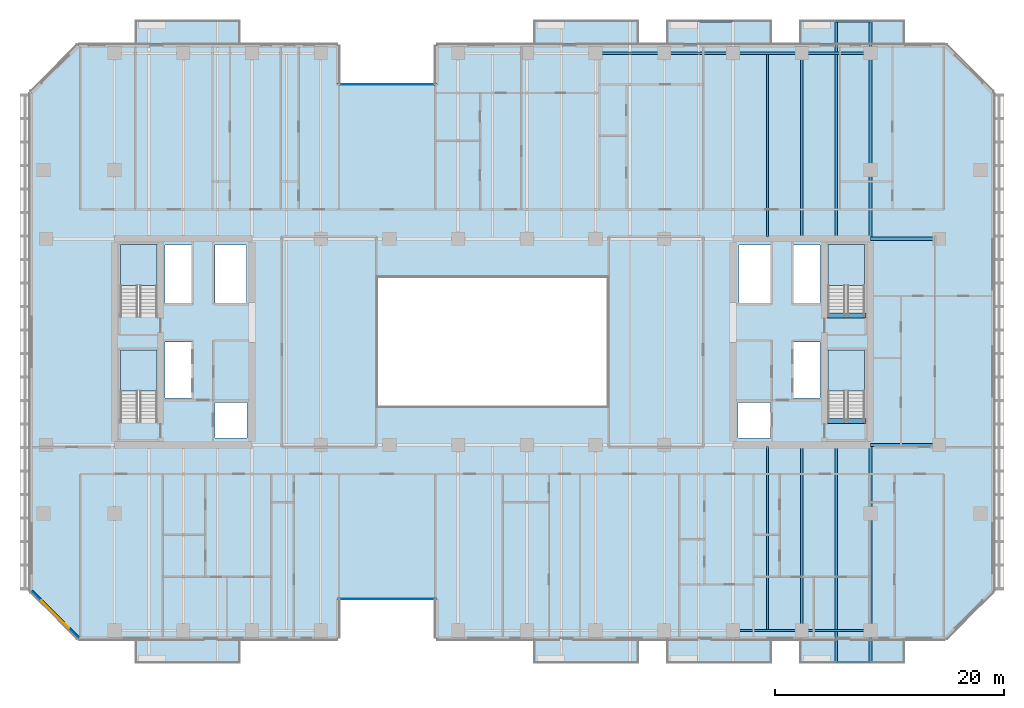
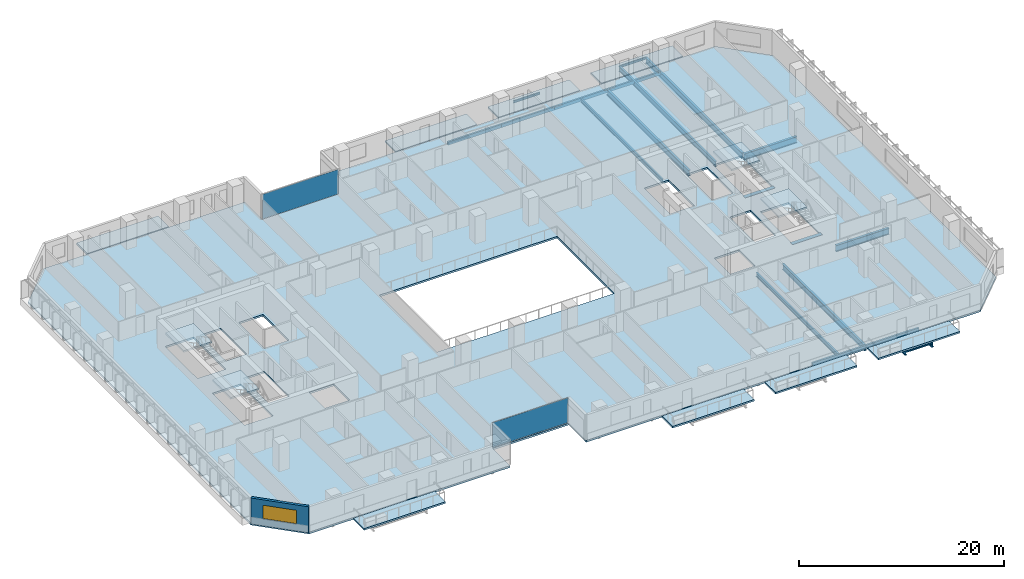
# One storey, part 9 of 26: 21 beams, 13 slabs, 2 plates, 1 wall, 1 window, 1 opening, 6 elements without a shape of their own.
"""IFC4 building model written with IfcOpenShell, lengths in metres."""

from ifc_helpers import new_model, si_unit, direction, frame, frame_2d, origin, origin_2d, place, context, subcontext, project, spatial, polyline, rectangle, hollow_rectangle, i_section, outline, extrude, material, layer, layer_set, material_profile, profile_set, type_object, element, fill, aggregate, save


model = new_model("IFC4")

# Units and contexts
model_context = context("Model", 3, precision=1e-05, world=origin(), true_north=direction((0.0, 1.0)))
body_context = subcontext(model_context, "Body", "Model", "MODEL_VIEW")
ifc_project = project(units=[si_unit("LENGTHUNIT", "METRE"), si_unit("AREAUNIT", "SQUARE_METRE"), si_unit("VOLUMEUNIT", "CUBIC_METRE"), si_unit("PLANEANGLEUNIT", "RADIAN"), si_unit("MASSUNIT", "GRAM", prefix="KILO")], contexts=[model_context])

# Site, building, storey
site_placement = place(None, origin())
site = spatial("IfcSite", under=ifc_project, at=site_placement, CompositionType="ELEMENT")
building_placement = place(site_placement, origin())
building = spatial("IfcBuilding", under=site, at=building_placement, Name="Tanjung Sevakor Pilgrim Tower", CompositionType="ELEMENT")
storey_placement = place(building_placement, frame((0.0, 0.0, 48.840087890625)))
storey = spatial("IfcBuildingStorey", under=building, at=storey_placement, Name="L13", CompositionType="ELEMENT", Elevation=48.840087890625)

# Beams
ifc_material_1 = material(Name="Steel S355J2", Category="steel")
ifc_material_profile_1 = material_profile(ifc_material_1, i_section(OverallWidth=0.26806640625, OverallDepth=0.769775390625, WebThickness=0.015625, FlangeThickness=0.025390625, FilletRadius=0.0166015625, at=origin_2d()))
ifc_profile_set_1 = profile_set([ifc_material_profile_1], Name="Steel S355J2")
beam_type_1 = type_object("IfcBeamType", Name="BM-B-G1-UB_762x267x197", PredefinedType="BEAM", material=ifc_profile_set_1)
for number, where, z_axis, x_axis, name in (
    (1, (90.0, 24.60009765625, -0.60498046875), (1.0, 0.0, 0.0), (0.0, 1.0, 0.0), "L13 Primary Floor Girder MAIN Y246-09"),
    (2, (90.0, 42.60009765625, -0.60498046875), (1.0, 0.0, 0.0), (0.0, 1.0, 0.0), "L13 Primary Floor Girder MAIN Y426-09"),
):
    element("IfcBeam", number, at=place(storey_placement, frame(where, z_axis=z_axis, x_axis=x_axis)), inside=storey, type_object=beam_type_1, Name=name, PredefinedType="BEAM", context=body_context, shape_type="SweptSolid", body=[
        extrude(i_section(OverallWidth=0.26806640625, OverallDepth=0.769775390625, WebThickness=0.015625, FlangeThickness=0.025390625, FilletRadius=0.0166015625, at=origin_2d()), origin(), (0.0, 0.0, 1.0), 6.0),
    ])
ifc_material_2 = material(Name="Steel S355J2", Category="steel")
ifc_material_profile_2 = material_profile(ifc_material_2, i_section(OverallWidth=0.25439453125, OverallDepth=0.6875, WebThickness=0.01318359375, FlangeThickness=0.02099609375, FilletRadius=0.01513671875, at=origin_2d()))
ifc_profile_set_2 = profile_set([ifc_material_profile_2], Name="Steel S355J2")
beam_type_2 = type_object("IfcBeamType", Name="BM-B-G2-UB_686x254x152", PredefinedType="BEAM", material=ifc_profile_set_2)
for number, where, z_axis, x_axis, name in (
    (3, (84.0, 8.39990234375, -0.56396484375), (0.0, 1.0, 0.0), (-1.0, 0.0, 0.0), "L13 MAIN Girder 028"),
    (4, (84.0, 42.73388671875, -0.56396484375), (0.0, 1.0, 0.0), (-1.0, 0.0, 0.0), "L13 MAIN Girder 029"),
):
    element("IfcBeam", number, at=place(storey_placement, frame(where, z_axis=z_axis, x_axis=x_axis)), inside=storey, type_object=beam_type_2, Name=name, PredefinedType="BEAM", context=body_context, shape_type="SweptSolid", body=[
        extrude(i_section(OverallWidth=0.25439453125, OverallDepth=0.6875, WebThickness=0.01318359375, FlangeThickness=0.02099609375, FilletRadius=0.01513671875, at=origin_2d()), origin(), (0.0, 0.0, 1.0), 16.066162109375),
    ])
beam_1_placement = place(storey_placement, frame((90.0, 24.466064453125, -0.56396484375), z_axis=(0.0, -1.0, 0.0), x_axis=(1.0, 0.0, 0.0)))
element("IfcBeam", 5, at=beam_1_placement, inside=storey, type_object=beam_type_2, Name="L13 Balcony Cantilever Beam MAIN-S4-2", PredefinedType="BEAM", context=body_context, shape_type="SweptSolid", body=[
    extrude(i_section(OverallWidth=0.25439453125, OverallDepth=0.6875, WebThickness=0.01318359375, FlangeThickness=0.02099609375, FilletRadius=0.01513671875, at=origin_2d()), origin(), (0.0, 0.0, 1.0), 18.845947265625),
])
beam_2_placement = place(storey_placement, frame((90.0, 42.73388671875, -0.56396484375), z_axis=(0.0, 1.0, 0.0), x_axis=(-1.0, 0.0, 0.0)))
element("IfcBeam", 6, at=beam_2_placement, inside=storey, type_object=beam_type_2, Name="L13 Balcony Cantilever Beam MAIN-N4-2", PredefinedType="BEAM", context=body_context, shape_type="SweptSolid", body=[
    extrude(i_section(OverallWidth=0.25439453125, OverallDepth=0.6875, WebThickness=0.01318359375, FlangeThickness=0.02099609375, FilletRadius=0.01513671875, at=origin_2d()), origin(), (0.0, 0.0, 1.0), 18.84619140625),
])
ifc_material_3 = material(Name="Steel S355J2", Category="steel")
ifc_material_profile_3 = material_profile(ifc_material_3, i_section(OverallWidth=0.22900390625, OverallDepth=0.6123046875, WebThickness=0.011962890625, FlangeThickness=0.01953125, FilletRadius=0.0126953125, at=origin_2d()))
ifc_profile_set_3 = profile_set([ifc_material_profile_3], Name="Steel S355J2")
beam_type_3 = type_object("IfcBeamType", Name="BM-B-G4-UB_610x229x125", PredefinedType="BEAM", material=ifc_profile_set_3)
beam_3_placement = place(storey_placement, frame((87.0, 24.466064453125, -0.526123046875), z_axis=(0.0, -1.0, 0.0), x_axis=(1.0, 0.0, 0.0)))
element("IfcBeam", 7, at=beam_3_placement, inside=storey, type_object=beam_type_3, Name="L13 Balcony Cantilever Beam MAIN-S4-1", PredefinedType="BEAM", context=body_context, shape_type="SweptSolid", body=[
    extrude(i_section(OverallWidth=0.22900390625, OverallDepth=0.6123046875, WebThickness=0.011962890625, FlangeThickness=0.01953125, FilletRadius=0.0126953125, at=origin_2d()), origin(), (0.0, 0.0, 1.0), 18.845947265625),
])
beam_4_placement = place(storey_placement, frame((87.0, 42.73388671875, -0.526123046875), z_axis=(0.0, 1.0, 0.0), x_axis=(-1.0, 0.0, 0.0)))
element("IfcBeam", 8, at=beam_4_placement, inside=storey, type_object=beam_type_3, Name="L13 Balcony Cantilever Beam MAIN-N4-1", PredefinedType="BEAM", context=body_context, shape_type="SweptSolid", body=[
    extrude(i_section(OverallWidth=0.22900390625, OverallDepth=0.6123046875, WebThickness=0.011962890625, FlangeThickness=0.01953125, FilletRadius=0.0126953125, at=origin_2d()), origin(), (0.0, 0.0, 1.0), 18.84619140625),
])
ifc_material_4 = material(Name="Steel S355J2", Category="steel")
ifc_material_profile_4 = material_profile(ifc_material_4, i_section(OverallWidth=0.19140625, OverallDepth=0.4599609375, WebThickness=0.010009765625, FlangeThickness=0.01611328125, FilletRadius=0.01025390625, at=origin_2d()))
ifc_profile_set_4 = profile_set([ifc_material_profile_4], Name="Steel S355J2")
beam_type_4 = type_object("IfcBeamType", Name="BM-B-J2-UB_457x191x82", PredefinedType="JOIST", material=ifc_profile_set_4)
for number, where, z_axis, x_axis, name in (
    (9, (81.0, 8.5, -0.4501953125), (0.0, 1.0, 0.0), (-1.0, 0.0, 0.0), "L13 MAIN Joist 026"),
    (10, (81.0, 42.73388671875, -0.4501953125), (0.0, 1.0, 0.0), (-1.0, 0.0, 0.0), "L13 MAIN Joist 027"),
):
    element("IfcBeam", number, at=place(storey_placement, frame(where, z_axis=z_axis, x_axis=x_axis)), inside=storey, type_object=beam_type_4, Name=name, PredefinedType="JOIST", context=body_context, shape_type="SweptSolid", body=[
        extrude(i_section(OverallWidth=0.19140625, OverallDepth=0.4599609375, WebThickness=0.010009765625, FlangeThickness=0.01611328125, FilletRadius=0.01025390625, at=origin_2d()), origin(), (0.0, 0.0, 1.0), 15.966064453125),
    ])
ifc_material_5 = material(Name="Steel S355J2", Category="steel")
ifc_material_profile_5 = material_profile(ifc_material_5, i_section(OverallWidth=0.146484375, OverallDepth=0.256103515625, WebThickness=0.00634765625, FlangeThickness=0.010986328125, FilletRadius=0.007568359375, at=origin_2d()))
ifc_profile_set_5 = profile_set([ifc_material_profile_5], Name="Steel S355J2")
beam_type_5 = type_object("IfcBeamType", Name="BM-B-J6-UB_254x146x37", PredefinedType="JOIST", material=ifc_profile_set_5)
for number, where, z_axis, x_axis, name in (
    (11, (75.0, 61.580078125, -0.328125), (1.0, 0.0, 0.0), (0.0, 1.0, 0.0), "L13 Balcony Rim Tie MAIN-N3"),
    (12, (87.0, 5.6201171875, -0.328125), (1.0, 0.0, 0.0), (0.0, 1.0, 0.0), "L13 Balcony Rim Tie MAIN-S4"),
    (13, (87.0, 61.580078125, -0.328125), (1.0, 0.0, 0.0), (0.0, 1.0, 0.0), "L13 Balcony Rim Tie MAIN-N4"),
):
    element("IfcBeam", number, at=place(storey_placement, frame(where, z_axis=z_axis, x_axis=x_axis)), inside=storey, type_object=beam_type_5, Name=name, PredefinedType="JOIST", context=body_context, shape_type="SweptSolid", body=[
        extrude(i_section(OverallWidth=0.146484375, OverallDepth=0.256103515625, WebThickness=0.00634765625, FlangeThickness=0.010986328125, FilletRadius=0.007568359375, at=origin_2d()), origin(), (0.0, 0.0, 1.0), 3.0),
    ])
ifc_material_6 = material(Name="Concrete C60/75", Category="concrete")
ifc_material_profile_6 = material_profile(ifc_material_6, rectangle(XDim=0.449951171875, YDim=0.699951171875, at=origin_2d()))
ifc_profile_set_6 = profile_set([ifc_material_profile_6], Name="Concrete C60/75")
beam_type_6 = type_object("IfcBeamType", Name="BM-B-LN3-RC-BM_450x700", PredefinedType="LINTEL", material=ifc_profile_set_6)
for number, where, z_axis, x_axis, name in (
    (14, (86.199951171875, 26.699951171875, -0.35009765625), (1.0, 0.0, 0.0), (0.0, 1.0, 0.0), "L13 TS-E1 Stair Threshold Beam"),
    (15, (86.199951171875, 35.89990234375, -0.35009765625), (1.0, 0.0, 0.0), (0.0, 1.0, 0.0), "L13 TS-E2 Stair Threshold Beam"),
):
    element("IfcBeam", number, at=place(storey_placement, frame(where, z_axis=z_axis, x_axis=x_axis)), inside=storey, type_object=beam_type_6, Name=name, PredefinedType="LINTEL", context=body_context, shape_type="SweptSolid", body=[
        extrude(rectangle(XDim=0.449951171875, YDim=0.699951171875, at=origin_2d()), origin(), (0.0, 0.0, 1.0), 3.400146484375),
    ])
ifc_material_7 = material(Name="Steel S355J2", Category="steel")
ifc_material_profile_7 = material_profile(ifc_material_7, hollow_rectangle(XDim=0.199951171875, YDim=0.39990234375, WallThickness=0.01611328125, at=origin_2d()))
ifc_profile_set_7 = profile_set([ifc_material_profile_7], Name="Steel S355J2")
beam_type_7 = type_object("IfcBeamType", Name="BM-B-SP2-RHS_400x200x16", PredefinedType="SPANDREL", material=ifc_profile_set_7)
for number, where, z_axis, x_axis, name in (
    (16, (66.0, 58.800048828125, -0.420166015625), (1.0, 0.0, 0.0), (0.0, 1.0, 0.0), "L13 Spandrel MAIN N-12"),
    (17, (72.0, 58.800048828125, -0.420166015625), (1.0, 0.0, 0.0), (0.0, 1.0, 0.0), "L13 Spandrel MAIN N-14"),
    (18, (78.0, 8.39990234375, -0.420166015625), (1.0, 0.0, 0.0), (0.0, 1.0, 0.0), "L13 Spandrel MAIN S-15"),
    (19, (78.0, 58.800048828125, -0.420166015625), (1.0, 0.0, 0.0), (0.0, 1.0, 0.0), "L13 Spandrel MAIN N-16"),
    (20, (84.0, 8.39990234375, -0.420166015625), (1.0, 0.0, 0.0), (0.0, 1.0, 0.0), "L13 Spandrel MAIN S-17"),
    (21, (84.0, 58.800048828125, -0.420166015625), (1.0, 0.0, 0.0), (0.0, 1.0, 0.0), "L13 Spandrel MAIN N-18"),
):
    element("IfcBeam", number, at=place(storey_placement, frame(where, z_axis=z_axis, x_axis=x_axis)), inside=storey, type_object=beam_type_7, Name=name, PredefinedType="SPANDREL", context=body_context, shape_type="SweptSolid", body=[
        extrude(hollow_rectangle(XDim=0.199951171875, YDim=0.39990234375, WallThickness=0.01611328125, at=origin_2d()), origin(), (0.0, 0.0, 1.0), 6.0),
    ])

# Slabs
ifc_material_8 = material(Name="Concrete C40/50", Category="concrete")
ifc_layer_1 = layer(ifc_material_8, 0.199951171875)
ifc_layer_set_1 = layer_set([ifc_layer_1], Name="SL-BAL-200")
slab_type_1 = type_object("IfcSlabType", Name="SL-BAL-200", PredefinedType="FLOOR", material=ifc_layer_set_1)
slab_1_placement = place(storey_placement, frame((0.0, 0.0, -0.2001953125)))
element("IfcSlab", 22, at=slab_1_placement, inside=storey, type_object=slab_type_1, Name="L13 Planted Loggia Balcony MAIN-S1", PredefinedType="FLOOR", context=body_context, shape_type="SweptSolid", body=[
    extrude(outline(polyline([(25.800048828125, 5.5), (35.0, 5.5), (35.0, 7.60009765625), (25.800048828125, 7.60009765625), (25.800048828125, 5.5)])), origin(), (0.0, 0.0, 1.0), 0.2001953125),
])
slab_2_placement = place(storey_placement, frame((0.0, 0.0, -0.2001953125)))
element("IfcSlab", 23, at=slab_2_placement, inside=storey, type_object=slab_type_1, Name="L13 Planted Loggia Balcony MAIN-N1", PredefinedType="FLOOR", context=body_context, shape_type="SweptSolid", body=[
    extrude(outline(polyline([(25.800048828125, 59.60009765625), (35.0, 59.60009765625), (35.0, 61.699951171875), (25.800048828125, 61.699951171875), (25.800048828125, 59.60009765625)])), origin(), (0.0, 0.0, 1.0), 0.2001953125),
])
slab_3_placement = place(storey_placement, frame((0.0, 0.0, -0.2001953125)))
element("IfcSlab", 24, at=slab_3_placement, inside=storey, type_object=slab_type_1, Name="L13 Planted Loggia Balcony MAIN-S2", PredefinedType="FLOOR", context=body_context, shape_type="SweptSolid", body=[
    extrude(outline(polyline([(60.60009765625, 5.5), (69.800048828125, 5.5), (69.800048828125, 7.60009765625), (60.60009765625, 7.60009765625), (60.60009765625, 5.5)])), origin(), (0.0, 0.0, 1.0), 0.2001953125),
])
slab_4_placement = place(storey_placement, frame((0.0, 0.0, -0.2001953125)))
element("IfcSlab", 25, at=slab_4_placement, inside=storey, type_object=slab_type_1, Name="L13 Planted Loggia Balcony MAIN-N2", PredefinedType="FLOOR", context=body_context, shape_type="SweptSolid", body=[
    extrude(outline(polyline([(60.60009765625, 59.60009765625), (69.800048828125, 59.60009765625), (69.800048828125, 61.699951171875), (60.60009765625, 61.699951171875), (60.60009765625, 59.60009765625)])), origin(), (0.0, 0.0, 1.0), 0.2001953125),
])
slab_5_placement = place(storey_placement, frame((0.0, 0.0, -0.2001953125)))
element("IfcSlab", 26, at=slab_5_placement, inside=storey, type_object=slab_type_1, Name="L13 Planted Loggia Balcony MAIN-S3", PredefinedType="FLOOR", context=body_context, shape_type="SweptSolid", body=[
    extrude(outline(polyline([(72.199951171875, 5.5), (81.39990234375, 5.5), (81.39990234375, 7.60009765625), (72.199951171875, 7.60009765625), (72.199951171875, 5.5)])), origin(), (0.0, 0.0, 1.0), 0.2001953125),
])
slab_6_placement = place(storey_placement, frame((0.0, 0.0, -0.2001953125)))
element("IfcSlab", 27, at=slab_6_placement, inside=storey, type_object=slab_type_1, Name="L13 Planted Loggia Balcony MAIN-N3", PredefinedType="FLOOR", context=body_context, shape_type="SweptSolid", body=[
    extrude(outline(polyline([(72.199951171875, 59.60009765625), (81.39990234375, 59.60009765625), (81.39990234375, 61.699951171875), (72.199951171875, 61.699951171875), (72.199951171875, 59.60009765625)])), origin(), (0.0, 0.0, 1.0), 0.2001953125),
])
slab_7_placement = place(storey_placement, frame((0.0, 0.0, -0.2001953125)))
element("IfcSlab", 28, at=slab_7_placement, inside=storey, type_object=slab_type_1, Name="L13 Planted Loggia Balcony MAIN-S4", PredefinedType="FLOOR", context=body_context, shape_type="SweptSolid", body=[
    extrude(outline(polyline([(83.800048828125, 5.5), (93.0, 5.5), (93.0, 7.60009765625), (83.800048828125, 7.60009765625), (83.800048828125, 5.5)])), origin(), (0.0, 0.0, 1.0), 0.2001953125),
])
slab_8_placement = place(storey_placement, frame((0.0, 0.0, -0.2001953125)))
element("IfcSlab", 29, at=slab_8_placement, inside=storey, type_object=slab_type_1, Name="L13 Planted Loggia Balcony MAIN-N4", PredefinedType="FLOOR", context=body_context, shape_type="SweptSolid", body=[
    extrude(outline(polyline([(83.800048828125, 59.60009765625), (93.0, 59.60009765625), (93.0, 61.699951171875), (83.800048828125, 61.699951171875), (83.800048828125, 59.60009765625)])), origin(), (0.0, 0.0, 1.0), 0.2001953125),
])

# Stair, slab
ifc_material_9 = material(Name="Concrete C40/50", Category="concrete")
stair_type = type_object("IfcStairType", Name="STAIR-ST-CR150", PredefinedType="HALF_TURN_STAIR", material=ifc_material_9)
stair_1_placement = place(storey_placement, origin())
stair_1 = element("IfcStair", 30, at=stair_1_placement, inside=storey, type_object=stair_type, Name="L13 West Core Exit Stair 1", PredefinedType="HALF_TURN_STAIR")
ifc_material_10 = material(Name="Concrete C40/50", Category="concrete")
ifc_layer_2 = layer(ifc_material_10, 0.199951171875)
ifc_layer_set_2 = layer_set([ifc_layer_2], Name="SL-LAND-200")
slab_type_2 = type_object("IfcSlabType", Name="SL-LAND-200", PredefinedType="LANDING", material=ifc_layer_set_2)
slab_9_placement = place(storey_placement, frame((0.0, 0.0, 1.449951171875)))
slab_9 = element("IfcSlab", 31, at=slab_9_placement, type_object=slab_type_2, Name="TS-W1 landing 1", PredefinedType="LANDING", context=body_context, shape_type="SweptSolid", body=[
    extrude(outline(polyline([(27.699951171875, 29.300048828125), (27.699951171875, 32.89990234375), (24.5, 32.89990234375), (24.5, 29.300048828125), (27.699951171875, 29.300048828125)])), origin(), (0.0, 0.0, 1.0), 0.199951171875),
])
aggregate(stair_1, [slab_9])

stair_2_placement = place(storey_placement, origin())
stair_2 = element("IfcStair", 32, at=stair_2_placement, inside=storey, type_object=stair_type, Name="L13 West Core Exit Stair 2", PredefinedType="HALF_TURN_STAIR")
slab_10_placement = place(storey_placement, frame((0.0, 0.0, 1.449951171875)))
slab_10 = element("IfcSlab", 33, at=slab_10_placement, type_object=slab_type_2, Name="TS-W2 landing 1", PredefinedType="LANDING", context=body_context, shape_type="SweptSolid", body=[
    extrude(outline(polyline([(27.699951171875, 38.5), (27.699951171875, 42.10009765625), (24.5, 42.10009765625), (24.5, 38.5), (27.699951171875, 38.5)])), origin(), (0.0, 0.0, 1.0), 0.199951171875),
])
aggregate(stair_2, [slab_10])

stair_3_placement = place(storey_placement, origin())
stair_3 = element("IfcStair", 34, at=stair_3_placement, inside=storey, type_object=stair_type, Name="L13 East Core Exit Stair 1", PredefinedType="HALF_TURN_STAIR")
slab_11_placement = place(storey_placement, frame((0.0, 0.0, 1.449951171875)))
slab_11 = element("IfcSlab", 35, at=slab_11_placement, type_object=slab_type_2, Name="TS-E1 landing 1", PredefinedType="LANDING", context=body_context, shape_type="SweptSolid", body=[
    extrude(outline(polyline([(89.5, 29.300048828125), (89.5, 32.89990234375), (86.300048828125, 32.89990234375), (86.300048828125, 29.300048828125), (89.5, 29.300048828125)])), origin(), (0.0, 0.0, 1.0), 0.199951171875),
])
aggregate(stair_3, [slab_11])

stair_4_placement = place(storey_placement, origin())
stair_4 = element("IfcStair", 36, at=stair_4_placement, inside=storey, type_object=stair_type, Name="L13 East Core Exit Stair 2", PredefinedType="HALF_TURN_STAIR")
slab_12_placement = place(storey_placement, frame((0.0, 0.0, 1.449951171875)))
slab_12 = element("IfcSlab", 37, at=slab_12_placement, type_object=slab_type_2, Name="TS-E2 landing 1", PredefinedType="LANDING", context=body_context, shape_type="SweptSolid", body=[
    extrude(outline(polyline([(89.5, 38.5), (89.5, 42.10009765625), (86.300048828125, 42.10009765625), (86.300048828125, 38.5), (89.5, 38.5)])), origin(), (0.0, 0.0, 1.0), 0.199951171875),
])
aggregate(stair_4, [slab_12])

# Slab
ifc_material_11 = material(Name="Concrete C40/50", Category="concrete")
ifc_layer_3 = layer(ifc_material_11, 0.219970703125)
ifc_layer_set_3 = layer_set([ifc_layer_3], Name="SL-TWR-220")
slab_type_3 = type_object("IfcSlabType", Name="SL-TWR-220", PredefinedType="FLOOR", material=ifc_layer_set_3)
slab_13_placement = place(storey_placement, frame((0.0, 0.0, -0.219970703125)))
element("IfcSlab", 38, at=slab_13_placement, inside=storey, type_object=slab_type_3, Name="L13 Floor Slab MAIN", PredefinedType="FLOOR", context=body_context, shape_type="SweptSolid", body=[
    extrude(outline(polyline([(20.846923828125, 7.679931640625), (43.52001953125, 7.679931640625), (43.52001953125, 11.080078125), (52.080078125, 11.080078125), (52.080078125, 7.679931640625), (96.552978515625, 7.679931640625), (100.719970703125, 11.846923828125), (100.719970703125, 55.35302734375), (96.552978515625, 59.52001953125), (52.080078125, 59.52001953125), (52.080078125, 56.1201171875), (43.52001953125, 56.1201171875), (43.52001953125, 59.52001953125), (20.846923828125, 59.52001953125), (16.679931640625, 55.35302734375), (16.679931640625, 11.846923828125), (20.846923828125, 7.679931640625)]), holes=[polyline([(27.699951171875, 26.60009765625), (27.699951171875, 32.89990234375), (24.5, 32.89990234375), (24.5, 26.60009765625), (27.699951171875, 26.60009765625)]), polyline([(27.699951171875, 35.800048828125), (27.699951171875, 42.10009765625), (24.5, 42.10009765625), (24.5, 35.800048828125), (27.699951171875, 35.800048828125)]), polyline([(89.5, 26.60009765625), (89.5, 32.89990234375), (86.300048828125, 32.89990234375), (86.300048828125, 26.60009765625), (89.5, 26.60009765625)]), polyline([(89.5, 35.800048828125), (89.5, 42.10009765625), (86.300048828125, 42.10009765625), (86.300048828125, 35.800048828125), (89.5, 35.800048828125)]), polyline([(32.75, 25.199951171875), (35.550048828125, 25.199951171875), (35.550048828125, 28.300048828125), (32.75, 28.300048828125), (32.75, 25.199951171875)]), polyline([(28.39990234375, 28.699951171875), (30.75, 28.699951171875), (30.75, 33.60009765625), (28.39990234375, 33.60009765625), (28.39990234375, 28.699951171875)]), polyline([(28.39990234375, 37.0), (30.75, 37.0), (30.75, 42.050048828125), (28.39990234375, 42.050048828125), (28.39990234375, 37.0)]), polyline([(32.75, 37.0), (35.5, 37.0), (35.5, 42.050048828125), (32.75, 42.050048828125), (32.75, 37.0)]), polyline([(78.449951171875, 25.199951171875), (81.25, 25.199951171875), (81.25, 28.300048828125), (78.449951171875, 28.300048828125), (78.449951171875, 25.199951171875)]), polyline([(83.25, 28.699951171875), (85.60009765625, 28.699951171875), (85.60009765625, 33.60009765625), (83.25, 33.60009765625), (83.25, 28.699951171875)]), polyline([(83.25, 37.0), (85.60009765625, 37.0), (85.60009765625, 42.050048828125), (83.25, 42.050048828125), (83.25, 37.0)]), polyline([(78.5, 37.0), (81.25, 37.0), (81.25, 42.050048828125), (78.5, 42.050048828125), (78.5, 37.0)]), polyline([(47.0, 28.0), (67.0, 28.0), (67.0, 39.199951171875), (47.0, 39.199951171875), (47.0, 28.0)])]), origin(), (0.0, 0.0, 1.0), 0.219970703125),
])

# Curtain wall, plate
ifc_material_12 = material(Name="Aluminium 6063-T6 and Low-E Glass", Category="aluminium")
ifc_layer_4 = layer(ifc_material_12, 0.179931640625)
ifc_layer_set_4 = layer_set([ifc_layer_4], Name="CW-SYS-CLEFT")
curtain_wall_type = type_object("IfcCurtainWallType", Name="CW-SYS-CLEFT", PredefinedType="NOTDEFINED", material=ifc_layer_set_4)
curtain_wall_1_placement = place(storey_placement, origin())
curtain_wall_1 = element("IfcCurtainWall", 39, at=curtain_wall_1_placement, inside=storey, type_object=curtain_wall_type, Name="L13 Curtain Wall CW-CLF-L13-2", PredefinedType="NOTDEFINED")
ifc_material_13 = material(Name="Laminated Low-E Double Glazing", Category="glass")
ifc_layer_5 = layer(ifc_material_13, 0.028076171875)
ifc_layer_set_5 = layer_set([ifc_layer_5], Name="TYPE-CWP-GLZ1")
plate_type = type_object("IfcPlateType", Name="TYPE-CWP-GLZ1", PredefinedType="CURTAIN_PANEL", material=ifc_layer_set_5)
plate_1_placement = place(storey_placement, frame((47.800048828125, 11.139892578125, 0.06494140625), z_axis=(0.0, 0.0, 1.0), x_axis=(1.0, 0.0, 0.0)))
plate_1 = element("IfcPlate", 40, at=plate_1_placement, type_object=plate_type, Name="CW-CLF panel 1.1", PredefinedType="CURTAIN_PANEL", context=body_context, shape_type="SweptSolid", body=[
    extrude(rectangle(XDim=8.530029296875, YDim=0.028076171875, at=origin_2d()), origin(), (0.0, 0.0, 1.0), 2.949951171875),
])
aggregate(curtain_wall_1, [plate_1])

curtain_wall_2_placement = place(storey_placement, origin())
curtain_wall_2 = element("IfcCurtainWall", 41, at=curtain_wall_2_placement, inside=storey, type_object=curtain_wall_type, Name="L13 Curtain Wall CW-CLF-L13-10", PredefinedType="NOTDEFINED")
plate_2_placement = place(storey_placement, frame((47.800048828125, 56.06005859375, 0.06494140625), z_axis=(0.0, 0.0, 1.0), x_axis=(-1.0, 0.0, 0.0)))
plate_2 = element("IfcPlate", 42, at=plate_2_placement, type_object=plate_type, Name="CW-CLF panel 1.1", PredefinedType="CURTAIN_PANEL", context=body_context, shape_type="SweptSolid", body=[
    extrude(rectangle(XDim=8.530029296875, YDim=0.028076171875, at=origin_2d()), origin(), (0.0, 0.0, 1.0), 2.949951171875),
])
aggregate(curtain_wall_2, [plate_2])

# Wall, opening, window
ifc_material_14 = material(Name="Precast concrete C45/55", Category="concrete")
ifc_layer_6 = layer(ifc_material_14, 0.280029296875)
ifc_layer_set_6 = layer_set([ifc_layer_6], Name="WT-EW-STN2")
wall_type = type_object("IfcWallType", Name="WT-EW-STN2", PredefinedType="SOLIDWALL", material=ifc_layer_set_6)
wall_placement = place(storey_placement, frame((16.739990234375, 11.85791015625, 0.0), z_axis=(0.0, 0.0, 1.0), x_axis=(0.707106781187, -0.707106781187, 0.0)))
wall = element("IfcWall", 43, at=wall_placement, inside=storey, type_object=wall_type, Name="L13 MAIN Sculpted Corner Wall 15", PredefinedType="SOLIDWALL", context=body_context, shape_type="SweptSolid", body=[
    extrude(rectangle(XDim=5.82373046875, YDim=0.280029296875, at=frame_2d((2.911865234375, 0.0))), origin(), (0.0, 0.0, 1.0), 3.080078125),
])
opening_placement = place(wall_placement, frame((1.2119140625, 0.0, 0.780029296875)))
opening = element("IfcOpeningElement", 44, at=opening_placement, cuts=wall, Name="Opening WN-CHM-1660", PredefinedType="OPENING", context=body_context, shape_type="SweptSolid", body=[
    extrude(rectangle(XDim=3.39990234375, YDim=1.659912109375, at=frame_2d((1.699951171875, 0.830078125))), frame((0.0, 0.14990234375, 0.0), z_axis=(0.0, -1.0, 0.0), x_axis=(1.0, 0.0, 0.0)), (0.0, 0.0, 1.0), 0.300048828125),
])
ifc_material_15 = material(Name="Thermally Broken Aluminium and Low-E Glass", Category="aluminium")
window_type = type_object("IfcWindowType", Name="WTYP-WN-CHM-1660", PartitioningType="DOUBLE_PANEL_VERTICAL", PredefinedType="WINDOW", material=ifc_material_15)
window_placement = place(opening_placement, origin())
window = element("IfcWindow", 45, at=window_placement, inside=storey, type_object=window_type, Name="L13 Facade Window 01", OverallHeight=1.659912109375, OverallWidth=3.39990234375, PartitioningType="SINGLE_PANEL", PredefinedType="WINDOW", context=body_context, shape_type="SweptSolid", body=[
    extrude(rectangle(XDim=3.39990234375, YDim=1.659912109375, at=frame_2d((1.699951171875, 0.830078125))), frame((0.0, 0.030029296875, 0.0), z_axis=(0.0, -1.0, 0.0), x_axis=(1.0, 0.0, 0.0)), (0.0, 0.0, 1.0), 0.06005859375),
])
fill(opening, window)

save(model, "model.ifc")
